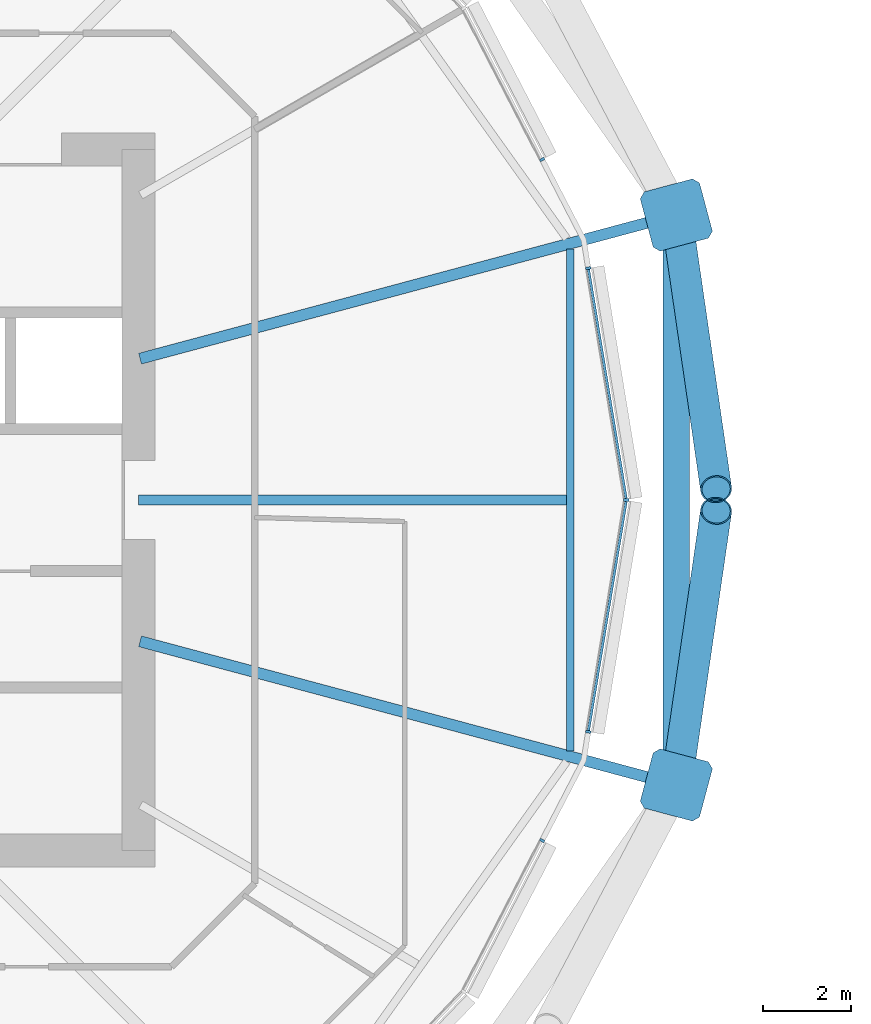
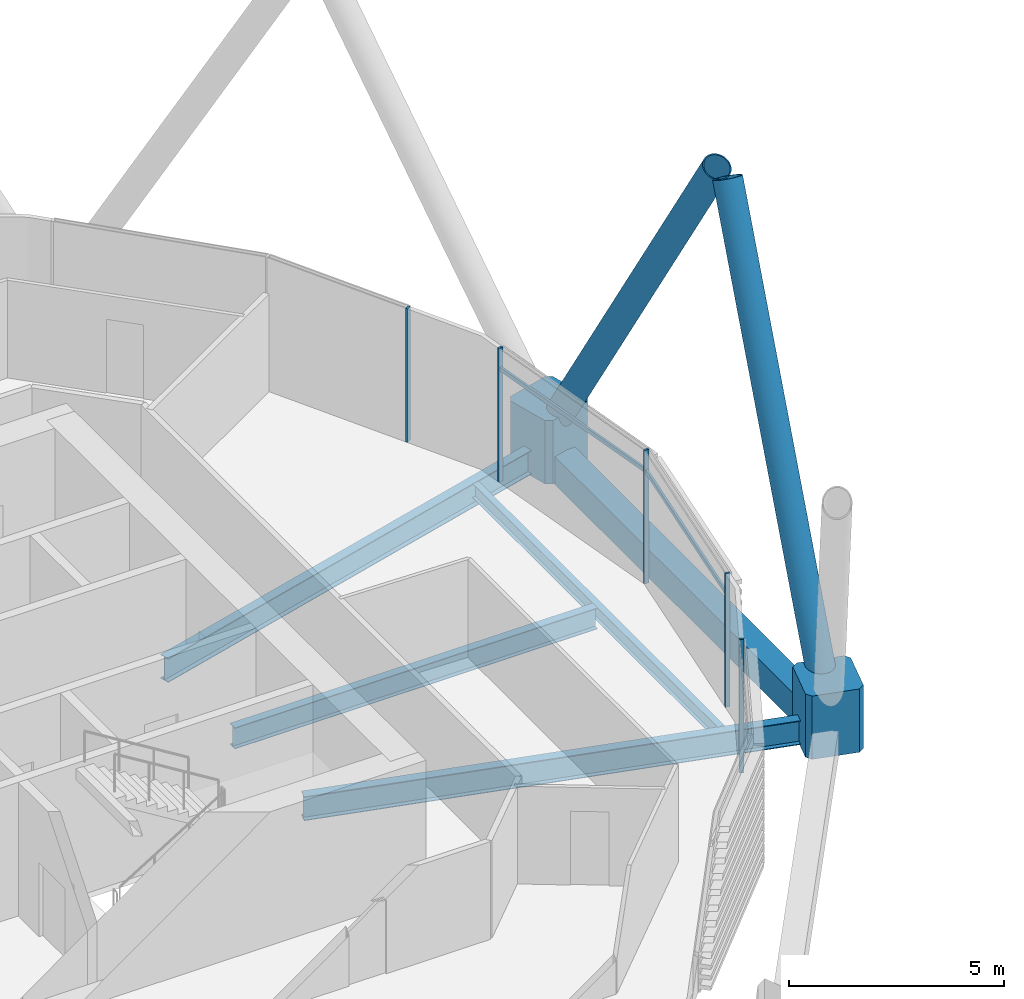
# One storey, part 8 of 39: 11 members, 5 beams, 1 element without a shape of its own.
"""IFC4 building model written with IfcOpenShell, lengths in metres."""

from ifc_helpers import new_model, si_unit, direction, frame, origin, origin_2d, place, context, subcontext, project, spatial, polyline, rectangle, hollow_rectangle, hollow_circle, i_section, outline, extrude, material, material_profile, profile_set, type_object, element, aggregate, save


model = new_model("IFC4")

# Units and contexts
model_context = context("Model", 3, precision=1e-05, world=origin(), true_north=direction((0.0, 1.0)))
body_context = subcontext(model_context, "Body", "Model", "MODEL_VIEW")
ifc_project = project(units=[si_unit("LENGTHUNIT", "METRE"), si_unit("AREAUNIT", "SQUARE_METRE"), si_unit("VOLUMEUNIT", "CUBIC_METRE"), si_unit("PLANEANGLEUNIT", "RADIAN"), si_unit("MASSUNIT", "GRAM", prefix="KILO")], contexts=[model_context])

# Site, building, storey
site_placement = place(None, origin())
site = spatial("IfcSite", under=ifc_project, at=site_placement, CompositionType="ELEMENT")
building_placement = place(site_placement, origin())
building = spatial("IfcBuilding", under=site, at=building_placement, Name="Rimbun Link Towers", CompositionType="ELEMENT")
storey_placement = place(building_placement, frame((0.0, 0.0, 115.800048828125)))
storey = spatial("IfcBuildingStorey", under=building, at=storey_placement, Name="L28", CompositionType="ELEMENT", Elevation=115.800048828125)

# Curtain wall, members
ifc_material_1 = material(Name="Aluminium 6063-T6 and low-iron glass", Category="aluminium")
curtain_wall_type = type_object("IfcCurtainWallType", Name="CW1-Z2 unitised vision wall (zone 2)", PredefinedType="NOTDEFINED", material=ifc_material_1)
curtain_wall_placement = place(storey_placement, origin())
curtain_wall = element("IfcCurtainWall", 1, at=curtain_wall_placement, inside=storey, type_object=curtain_wall_type, Name="CW1 L28 T1", PredefinedType="NOTDEFINED")
ifc_material_2 = material(Name="Aluminium 6063-T6", Category="aluminium")
ifc_material_profile_1 = material_profile(ifc_material_2, rectangle(XDim=0.1201171875, YDim=0.06005859375, at=origin_2d()), Name="MULLION 60X120")
ifc_profile_set_1 = profile_set([ifc_material_profile_1], Name="Aluminium 6063-T6")
member_type_1 = type_object("IfcMemberType", Name="CW1 mullion 60X120", PredefinedType="MULLION", material=ifc_profile_set_1)
member_1_placement = place(storey_placement, frame((-9.488037109375, 5.289306640625, 0.0), z_axis=(0.0, 0.0, 1.0), x_axis=(0.986746548815, 0.162269061749, 0.0)))
member_1 = element("IfcMember", 2, at=member_1_placement, type_object=member_type_1, Name="CW1 mullion", PredefinedType="MULLION", context=body_context, shape_type="SweptSolid", body=[
    extrude(rectangle(XDim=0.1201171875, YDim=0.06005859375, at=origin_2d()), origin(), (0.0, 0.0, 1.0), 3.800048828125),
])
member_2_placement = place(storey_placement, frame((-8.618896484375, 0.0, 0.0), z_axis=(0.0, 0.0, 1.0), x_axis=(1.0, 0.0, 0.0)))
member_2 = element("IfcMember", 3, at=member_2_placement, type_object=member_type_1, Name="CW1 mullion", PredefinedType="MULLION", context=body_context, shape_type="SweptSolid", body=[
    extrude(rectangle(XDim=0.1201171875, YDim=0.06005859375, at=origin_2d()), origin(), (0.0, 0.0, 1.0), 3.800048828125),
])
member_3_placement = place(storey_placement, frame((-10.54150390625, 7.769287109375, 0.0), z_axis=(0.0, 0.0, 1.0), x_axis=(0.888156623203, 0.459540871589, 0.0)))
member_3 = element("IfcMember", 4, at=member_3_placement, type_object=member_type_1, Name="CW1 mullion", PredefinedType="MULLION", context=body_context, shape_type="SweptSolid", body=[
    extrude(rectangle(XDim=0.1201171875, YDim=0.06005859375, at=origin_2d()), origin(), (0.0, 0.0, 1.0), 3.800048828125),
])
member_4_placement = place(storey_placement, frame((-10.54150390625, -7.769287109375, 0.0), z_axis=(0.0, 0.0, 1.0), x_axis=(0.888156623203, -0.459540871589, 0.0)))
member_4 = element("IfcMember", 5, at=member_4_placement, type_object=member_type_1, Name="CW1 mullion", PredefinedType="MULLION", context=body_context, shape_type="SweptSolid", body=[
    extrude(rectangle(XDim=0.1201171875, YDim=0.06005859375, at=origin_2d()), origin(), (0.0, 0.0, 1.0), 3.800048828125),
])
member_5_placement = place(storey_placement, frame((-9.488037109375, -5.289306640625, 0.0), z_axis=(0.0, 0.0, 1.0), x_axis=(0.986746548815, -0.162269061749, 0.0)))
member_5 = element("IfcMember", 6, at=member_5_placement, type_object=member_type_1, Name="CW1 mullion", PredefinedType="MULLION", context=body_context, shape_type="SweptSolid", body=[
    extrude(rectangle(XDim=0.1201171875, YDim=0.06005859375, at=origin_2d()), origin(), (0.0, 0.0, 1.0), 3.800048828125),
])
ifc_material_3 = material(Name="Aluminium 6063-T6", Category="aluminium")
ifc_material_profile_2 = material_profile(ifc_material_3, rectangle(XDim=0.06005859375, YDim=0.1201171875, at=origin_2d()), Name="TRANSOM 60X120")
ifc_profile_set_2 = profile_set([ifc_material_profile_2], Name="Aluminium 6063-T6")
member_type_2 = type_object("IfcMemberType", Name="CW1 transom 60X120", PredefinedType="USERDEFINED", material=ifc_profile_set_2)
member_6_placement = place(storey_placement, frame((-9.485107421875, 5.259521484375, 3.199951171875), z_axis=(0.162250916915, -0.986749532536, 0.0), x_axis=(0.986749532536, 0.162250916915, 0.0)))
member_6 = element("IfcMember", 7, at=member_6_placement, type_object=member_type_2, Name="CW1 transom", ObjectType="TRANSOM", PredefinedType="USERDEFINED", context=body_context, shape_type="SweptSolid", body=[
    extrude(rectangle(XDim=0.06005859375, YDim=0.1201171875, at=origin_2d()), origin(), (0.0, 0.0, 1.0), 5.29052734375),
])
member_7_placement = place(storey_placement, frame((-8.626708984375, -0.0390625, 3.199951171875), z_axis=(-0.162250916915, -0.986749532536, 0.0), x_axis=(0.986749532536, -0.162250916915, 0.0)))
member_7 = element("IfcMember", 8, at=member_7_placement, type_object=member_type_2, Name="CW1 transom", ObjectType="TRANSOM", PredefinedType="USERDEFINED", context=body_context, shape_type="SweptSolid", body=[
    extrude(rectangle(XDim=0.06005859375, YDim=0.1201171875, at=origin_2d()), origin(), (0.0, 0.0, 1.0), 5.29052734375),
])
aggregate(curtain_wall, [member_1, member_2, member_3, member_4, member_5, member_6, member_7])

# Members
ifc_material_4 = material(Name="Steel S460NH", Category="steel")
ifc_material_profile_3 = material_profile(ifc_material_4, hollow_circle(Radius=0.355712890625, WallThickness=0.031982421875, at=origin_2d()), Name="Diagrid diagonal CHS 711x32")
ifc_profile_set_3 = profile_set([ifc_material_profile_3], Name="Steel S460NH")
member_type_3 = type_object("IfcMemberType", Name="Diagrid diagonal CHS 711x32", PredefinedType="BRACE", material=ifc_profile_set_3)
for number, where, z_axis, x_axis, name in (
    (9, (-7.443359375, 6.256103515625, 0.43310546875), (0.071765468627, -0.494225931537, 0.866366230938), (0.989621189869, 0.143700732645, 0.0), "Diagrid diagonal T1 L28-L31 01a"),
    (10, (-7.443359375, -6.256103515625, 0.43310546875), (0.071765468627, 0.494225931537, 0.866366230938), (-0.989621189869, 0.143700732645, 0.0), "Diagrid diagonal T1 L28-L31 23b"),
):
    element("IfcMember", number, at=place(storey_placement, frame(where, z_axis=z_axis, x_axis=x_axis)), inside=storey, type_object=member_type_3, Name=name, PredefinedType="BRACE", context=body_context, shape_type="SweptSolid", body=[
        extrude(hollow_circle(Radius=0.355712890625, WallThickness=0.031982421875, at=origin_2d()), origin(), (0.0, 0.0, 1.0), 12.158447265625),
    ])
ifc_material_5 = material(Name="Cast steel G20Mn5+QT, Rp0.2 300 MPa", Category="steel")
ifc_material_profile_4 = material_profile(ifc_material_5, outline(polyline([(0.699951171875, -0.570068359375), (0.699951171875, 0.570068359375), (0.570068359375, 0.699951171875), (-0.570068359375, 0.699951171875), (-0.699951171875, 0.570068359375), (-0.699951171875, -0.570068359375), (-0.570068359375, -0.699951171875), (0.570068359375, -0.699951171875), (0.699951171875, -0.570068359375)])), Name="NODE 1400x1400")
ifc_profile_set_4 = profile_set([ifc_material_profile_4], Name="Cast steel G20Mn5+QT, Rp0.2 300 MPa")
member_type_4 = type_object("IfcMemberType", Name="Diagrid node cast 1400", PredefinedType="USERDEFINED", material=ifc_profile_set_4)
for number, where, z_axis, x_axis, name in (
    (11, (-7.479248046875, 6.50341796875, -0.900146484375), (0.0, 0.0, 1.0), (0.965925826289, 0.258819045103, 0.0), "Diagrid node L28 01"),
    (12, (-7.479248046875, -6.50341796875, -0.900146484375), (0.0, 0.0, 1.0), (0.965925826289, -0.258819045103, 0.0), "Diagrid node L28 23"),
):
    element("IfcMember", number, at=place(storey_placement, frame(where, z_axis=z_axis, x_axis=x_axis)), inside=storey, type_object=member_type_4, Name=name, ObjectType="Diagrid node", PredefinedType="USERDEFINED", context=body_context, shape_type="SweptSolid", body=[
        extrude(outline(polyline([(0.699951171875, -0.570068359375), (0.699951171875, 0.570068359375), (0.570068359375, 0.699951171875), (-0.570068359375, 0.699951171875), (-0.699951171875, 0.570068359375), (-0.699951171875, -0.570068359375), (-0.570068359375, -0.699951171875), (0.570068359375, -0.699951171875), (0.699951171875, -0.570068359375)])), origin(), (0.0, 0.0, 1.0), 1.800048828125),
    ])

# Beams
ifc_material_6 = material(Name="Steel S355J2", Category="steel")
ifc_material_profile_5 = material_profile(ifc_material_6, hollow_rectangle(XDim=0.60009765625, YDim=0.800048828125, WallThickness=0.0400390625, at=origin_2d()), Name="Exoskeleton ring girder BOX 600x800x40")
ifc_profile_set_5 = profile_set([ifc_material_profile_5], Name="Steel S355J2")
beam_type_1 = type_object("IfcBeamType", Name="Exoskeleton ring girder BOX 600x800x40", PredefinedType="BEAM", material=ifc_profile_set_5)
beam_1_placement = place(storey_placement, frame((-7.479248046875, -5.80322265625, -0.56005859375), z_axis=(0.0, 1.0, 0.0), x_axis=(-1.0, 0.0, 0.0)))
element("IfcBeam", 13, at=beam_1_placement, inside=storey, type_object=beam_type_1, Name="Exoskeleton ring girder L28 08", PredefinedType="BEAM", context=body_context, shape_type="SweptSolid", body=[
    extrude(hollow_rectangle(XDim=0.60009765625, YDim=0.800048828125, WallThickness=0.0400390625, at=origin_2d()), origin(), (0.0, 0.0, 1.0), 11.6064453125),
])
ifc_material_7 = material(Name="Steel S355J2", Category="steel")
ifc_material_profile_6 = material_profile(ifc_material_7, i_section(OverallWidth=0.177978515625, OverallDepth=0.406494140625, WebThickness=0.0078125, FlangeThickness=0.0126953125, at=origin_2d()), Name="UB 406x178x60")
ifc_profile_set_6 = profile_set([ifc_material_profile_6], Name="Steel S355J2")
beam_type_2 = type_object("IfcBeamType", Name="UB 406x178x60", PredefinedType="BEAM", material=ifc_profile_set_6)
beam_2_placement = place(storey_placement, frame((-9.89990234375, -5.722412109375, -0.36328125), z_axis=(0.0, 1.0, 0.0), x_axis=(-1.0, 0.0, 0.0)))
element("IfcBeam", 14, at=beam_2_placement, inside=storey, type_object=beam_type_2, Name="Edge beam T1 L28 23-01", PredefinedType="BEAM", context=body_context, shape_type="SweptSolid", body=[
    extrude(i_section(OverallWidth=0.177978515625, OverallDepth=0.406494140625, WebThickness=0.0078125, FlangeThickness=0.0126953125, at=origin_2d()), origin(), (0.0, 0.0, 1.0), 11.44482421875),
])
ifc_material_8 = material(Name="Steel S355J2", Category="steel")
ifc_material_profile_7 = material_profile(ifc_material_8, i_section(OverallWidth=0.2275390625, OverallDepth=0.6025390625, WebThickness=0.010498046875, FlangeThickness=0.014892578125, at=origin_2d()), Name="UB 610x229x101")
ifc_profile_set_7 = profile_set([ifc_material_profile_7], Name="Steel S355J2")
beam_type_3 = type_object("IfcBeamType", Name="UB 610x229x101", PredefinedType="BEAM", material=ifc_profile_set_7)
beam_3_placement = place(storey_placement, frame((-19.7490234375, 0.0, -0.46142578125), z_axis=(1.0, 0.0, 0.0), x_axis=(0.0, 1.0, 0.0)))
element("IfcBeam", 15, at=beam_3_placement, inside=storey, type_object=beam_type_3, Name="Radial beam T1 L28 00", PredefinedType="BEAM", context=body_context, shape_type="SweptSolid", body=[
    extrude(i_section(OverallWidth=0.2275390625, OverallDepth=0.6025390625, WebThickness=0.010498046875, FlangeThickness=0.014892578125, at=origin_2d()), origin(), (0.0, 0.0, 1.0), 9.75927734375),
])
ifc_material_9 = material(Name="Steel S355J2", Category="steel")
ifc_material_profile_8 = material_profile(ifc_material_9, i_section(OverallWidth=0.253662109375, OverallDepth=0.68359375, WebThickness=0.012451171875, FlangeThickness=0.01904296875, at=origin_2d()), Name="UB 686x254x140")
ifc_profile_set_8 = profile_set([ifc_material_profile_8], Name="Steel S355J2")
beam_type_4 = type_object("IfcBeamType", Name="UB 686x254x140", PredefinedType="BEAM", material=ifc_profile_set_8)
for number, where, z_axis, x_axis, name in (
    (16, (-19.71630859375, 3.224365234375, -0.501953125), (0.965926558196, 0.258816313574, 0.0), (-0.258816313574, 0.965926558196, 0.0), "Radial beam T1 L28 01"),
    (17, (-19.71630859375, -3.224365234375, -0.501953125), (0.965926558196, -0.258816313574, 0.0), (0.258816313574, 0.965926558196, 0.0), "Radial beam T1 L28 23"),
):
    element("IfcBeam", number, at=place(storey_placement, frame(where, z_axis=z_axis, x_axis=x_axis)), inside=storey, type_object=beam_type_4, Name=name, PredefinedType="BEAM", context=body_context, shape_type="SweptSolid", body=[
        extrude(i_section(OverallWidth=0.253662109375, OverallDepth=0.68359375, WebThickness=0.012451171875, FlangeThickness=0.01904296875, at=origin_2d()), origin(), (0.0, 0.0, 1.0), 12.16845703125),
    ])

save(model, "model.ifc")
